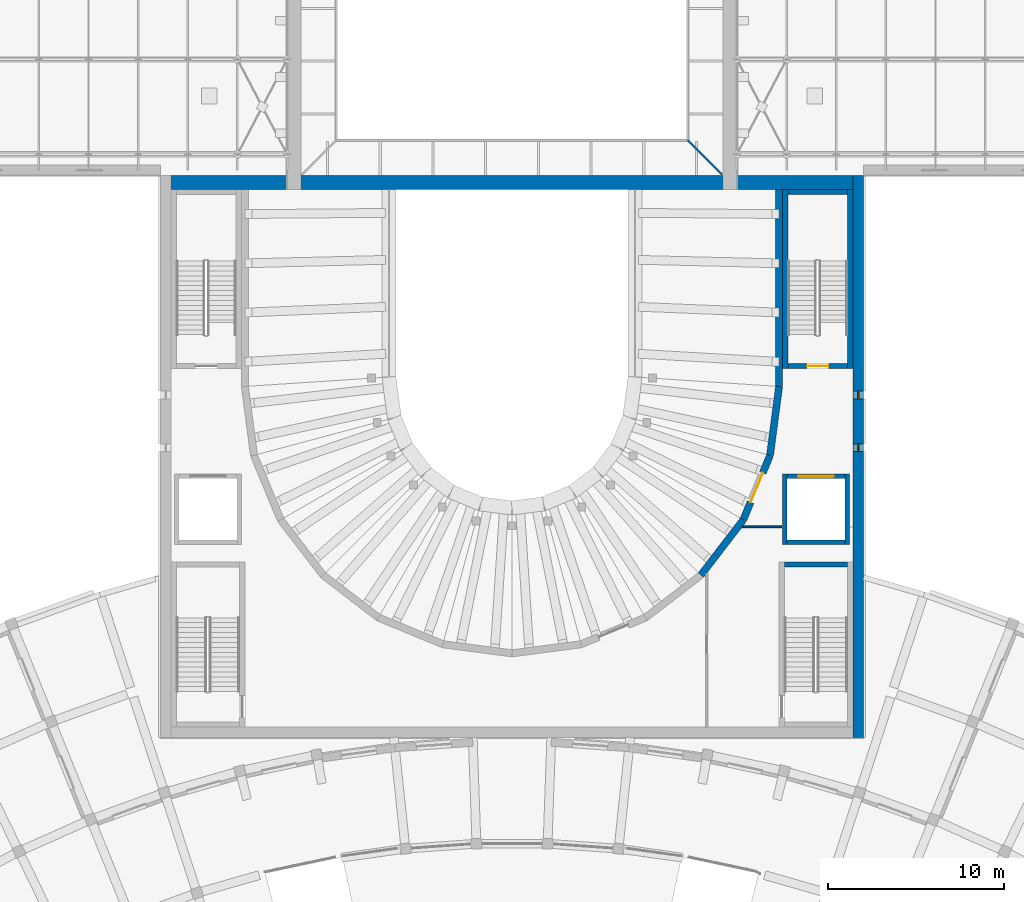
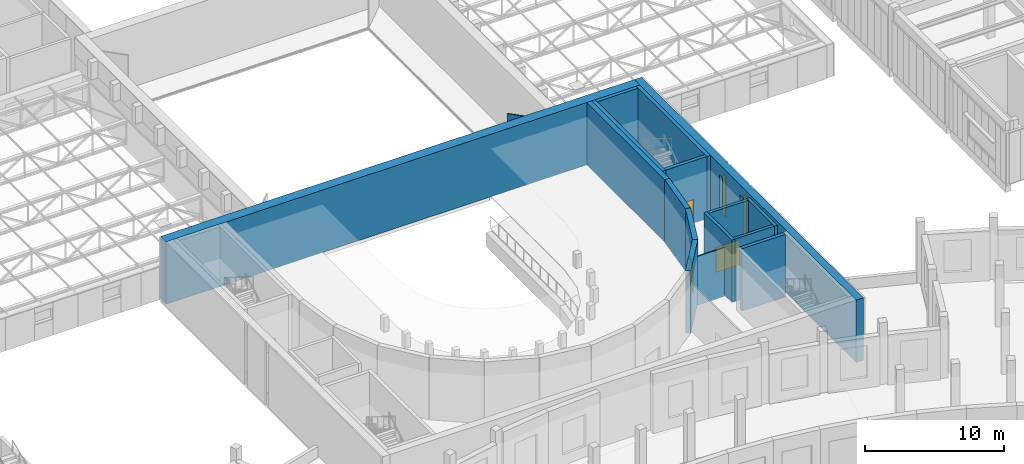
# One storey, part 76 of 132: 17 walls, 3 doors, 2 windows, 5 openings.
"""IFC4 building model written with IfcOpenShell, lengths in metres."""

from ifc_helpers import new_model, si_unit, direction, frame, frame_2d, origin, place, context, subcontext, project, spatial, rectangle, extrude, material, layer, layer_set, type_object, element, fill, save


model = new_model("IFC4")

# Units and contexts
model_context = context("Model", 3, precision=1e-05, world=origin(), true_north=direction((0.0, 1.0)))
body_context = subcontext(model_context, "Body", "Model", "MODEL_VIEW")
ifc_project = project(units=[si_unit("LENGTHUNIT", "METRE"), si_unit("AREAUNIT", "SQUARE_METRE"), si_unit("VOLUMEUNIT", "CUBIC_METRE"), si_unit("PLANEANGLEUNIT", "RADIAN"), si_unit("MASSUNIT", "GRAM", prefix="KILO")], contexts=[model_context])

# Site, building, storey
site_placement = place(None, origin())
site = spatial("IfcSite", under=ifc_project, at=site_placement, CompositionType="ELEMENT")
building_placement = place(site_placement, origin())
building = spatial("IfcBuilding", under=site, at=building_placement, Name="Lunette Opera House", CompositionType="ELEMENT")
storey_placement = place(building_placement, frame((0.0, 0.0, 17.0)))
storey = spatial("IfcBuildingStorey", under=building, at=storey_placement, Name="L03", CompositionType="ELEMENT", Elevation=17.0)

# Walls
ifc_material_1 = material(Name="Concrete C40/50", Category="concrete")
ifc_layer_1 = layer(ifc_material_1, 0.800048828125)
ifc_layer_set_1 = layer_set([ifc_layer_1], Name="Concrete C40/50")
wall_type_1 = type_object("IfcWallType", Name="FIRE WALL 800", PredefinedType="SHEAR", material=ifc_layer_set_1)
wall_1_placement = place(storey_placement, frame((76.0, 95.60009765625, 0.0), z_axis=(0.0, 0.0, 1.0), x_axis=(1.0, 0.0, 0.0)))
element("IfcWall", 1, at=wall_1_placement, inside=storey, type_object=wall_type_1, Name="wall-ST-L03-WP-1", PredefinedType="SHEAR", context=body_context, shape_type="SweptSolid", body=[
    extrude(rectangle(XDim=40.0, YDim=0.800048828125, at=frame_2d((20.0, 0.0))), origin(), (0.0, 0.0, 1.0), 5.5),
])
ifc_material_2 = material(Name="Concrete C35/45", Category="concrete")
ifc_layer_2 = layer(ifc_material_2, 0.25)
ifc_layer_set_2 = layer_set([ifc_layer_2], Name="Concrete C35/45")
wall_type_2 = type_object("IfcWallType", Name="RC LIFT SHAFT WALL 250", PredefinedType="SOLIDWALL", material=ifc_layer_set_2)
wall_2_placement = place(storey_placement, frame((115.074951171875, 75.0, 0.0), z_axis=(0.0, 0.0, 1.0), x_axis=(0.0, 1.0, 0.0)))
element("IfcWall", 2, at=wall_2_placement, inside=storey, type_object=wall_type_2, Name="LF3 shaft wall 1", PredefinedType="SOLIDWALL", context=body_context, shape_type="SweptSolid", body=[
    extrude(rectangle(XDim=4.0, YDim=0.25, at=frame_2d((2.0, 0.0))), origin(), (0.0, 0.0, 1.0), 5.5),
])

# Wall, opening, door
wall_3_placement = place(storey_placement, frame((114.949951171875, 78.875, 0.0), z_axis=(0.0, 0.0, 1.0), x_axis=(-1.0, 0.0, 0.0)))
wall_3 = element("IfcWall", 3, at=wall_3_placement, inside=storey, type_object=wall_type_2, Name="LF3 shaft wall 2", PredefinedType="SOLIDWALL", context=body_context, shape_type="SweptSolid", body=[
    extrude(rectangle(XDim=3.300048828125, YDim=0.25, at=frame_2d((1.64990234375, 0.0))), origin(), (0.0, 0.0, 1.0), 5.5),
])
opening_1_placement = place(wall_3_placement, frame((0.64990234375, 0.0, 0.0)))
opening_1 = element("IfcOpeningElement", 4, at=opening_1_placement, cuts=wall_3, Name="Opening AU-LD004", PredefinedType="OPENING", context=body_context, shape_type="SweptSolid", body=[
    extrude(rectangle(XDim=2.0, YDim=2.199951171875, at=frame_2d((1.0, 1.10009765625))), frame((0.0, 0.136962890625, 0.0), z_axis=(0.0, -1.0, 0.0), x_axis=(1.0, 0.0, 0.0)), (0.0, 0.0, 1.0), 0.27392578125),
])
ifc_material_3 = material(Name="Stainless steel", Category="steel")
door_type_1 = type_object("IfcDoorType", Name="LIFT LANDING DOOR 2000 X 2200", OperationType="DOUBLE_DOOR_SLIDING", PredefinedType="DOOR", material=ifc_material_3)
door_1_placement = place(opening_1_placement, origin())
door_1 = element("IfcDoor", 5, at=door_1_placement, inside=storey, type_object=door_type_1, Name="LF3 lift landing door", OperationType="DOUBLE_DOOR_SLIDING", OverallHeight=2.199951171875, OverallWidth=2.0, PredefinedType="DOOR", context=body_context, shape_type="SweptSolid", body=[
    extrude(rectangle(XDim=2.0, YDim=2.199951171875, at=frame_2d((1.0, 1.10009765625))), frame((0.0, 0.02490234375, 0.0), z_axis=(0.0, -1.0, 0.0), x_axis=(1.0, 0.0, 0.0)), (0.0, 0.0, 1.0), 0.050048828125),
])
fill(opening_1, door_1)

# Walls
wall_4_placement = place(storey_placement, frame((111.52490234375, 79.0, 0.0), z_axis=(0.0, 0.0, 1.0), x_axis=(0.0, -1.0, 0.0)))
element("IfcWall", 6, at=wall_4_placement, inside=storey, type_object=wall_type_2, Name="LF3 shaft wall 3", PredefinedType="SOLIDWALL", context=body_context, shape_type="SweptSolid", body=[
    extrude(rectangle(XDim=4.0, YDim=0.25, at=frame_2d((2.0, 0.0))), origin(), (0.0, 0.0, 1.0), 5.5),
])
wall_5_placement = place(storey_placement, frame((111.64990234375, 75.125, 0.0), z_axis=(0.0, 0.0, 1.0), x_axis=(1.0, 0.0, 0.0)))
element("IfcWall", 7, at=wall_5_placement, inside=storey, type_object=wall_type_2, Name="LF3 shaft wall 4", PredefinedType="SOLIDWALL", context=body_context, shape_type="SweptSolid", body=[
    extrude(rectangle(XDim=3.300048828125, YDim=0.25, at=frame_2d((1.64990234375, 0.0))), origin(), (0.0, 0.0, 1.0), 5.5),
])
ifc_material_4 = material(Name="Concrete C35/45", Category="concrete")
ifc_layer_3 = layer(ifc_material_4, 0.300048828125)
ifc_layer_set_3 = layer_set([ifc_layer_3], Name="Concrete C35/45")
wall_type_3 = type_object("IfcWallType", Name="RC STAIR ENCLOSURE WALL 300", PredefinedType="SOLIDWALL", material=ifc_layer_set_3)
wall_6_placement = place(storey_placement, frame((115.10009765625, 73.85009765625, 0.0), z_axis=(0.0, 0.0, 1.0), x_axis=(-1.0, 0.0, 0.0)))
element("IfcWall", 8, at=wall_6_placement, inside=storey, type_object=wall_type_3, Name="ST8 enclosure wall 2", PredefinedType="SOLIDWALL", context=body_context, shape_type="SweptSolid", body=[
    extrude(rectangle(XDim=3.60009765625, YDim=0.300048828125, at=frame_2d((1.800048828125, 0.0))), origin(), (0.0, 0.0, 1.0), 5.5),
])
wall_7_placement = place(storey_placement, frame((115.25, 85.0, 0.0), z_axis=(0.0, 0.0, 1.0), x_axis=(0.0, 1.0, 0.0)))
element("IfcWall", 9, at=wall_7_placement, inside=storey, type_object=wall_type_3, Name="ST9 enclosure wall 1", PredefinedType="SOLIDWALL", context=body_context, shape_type="SweptSolid", body=[
    extrude(rectangle(XDim=10.199951171875, YDim=0.300048828125, at=frame_2d((5.10009765625, 0.0))), origin(), (0.0, 0.0, 1.0), 5.5),
])
wall_8_placement = place(storey_placement, frame((115.10009765625, 95.050048828125, 0.0), z_axis=(0.0, 0.0, 1.0), x_axis=(-1.0, 0.0, 0.0)))
element("IfcWall", 10, at=wall_8_placement, inside=storey, type_object=wall_type_3, Name="ST9 enclosure wall 2", PredefinedType="SOLIDWALL", context=body_context, shape_type="SweptSolid", body=[
    extrude(rectangle(XDim=3.400146484375, YDim=0.300048828125, at=frame_2d((1.7001953125, 0.0))), origin(), (0.0, 0.0, 1.0), 5.5),
])
wall_9_placement = place(storey_placement, frame((111.550048828125, 95.199951171875, 0.0), z_axis=(0.0, 0.0, 1.0), x_axis=(0.0, -1.0, 0.0)))
element("IfcWall", 11, at=wall_9_placement, inside=storey, type_object=wall_type_3, Name="ST9 enclosure wall 3", PredefinedType="SOLIDWALL", context=body_context, shape_type="SweptSolid", body=[
    extrude(rectangle(XDim=10.199951171875, YDim=0.300048828125, at=frame_2d((5.10009765625, 0.0))), origin(), (0.0, 0.0, 1.0), 5.5),
])

# Wall, opening, door
wall_10_placement = place(storey_placement, frame((111.699951171875, 85.14990234375, 0.0), z_axis=(0.0, 0.0, 1.0), x_axis=(1.0, 0.0, 0.0)))
wall_10 = element("IfcWall", 12, at=wall_10_placement, inside=storey, type_object=wall_type_3, Name="ST9 enclosure wall 4", PredefinedType="SOLIDWALL", context=body_context, shape_type="SweptSolid", body=[
    extrude(rectangle(XDim=3.400146484375, YDim=0.300048828125, at=frame_2d((1.7001953125, 0.0))), origin(), (0.0, 0.0, 1.0), 5.5),
])
opening_2_placement = place(wall_10_placement, frame((1.10009765625, 0.0, 0.0)))
opening_2 = element("IfcOpeningElement", 13, at=opening_2_placement, cuts=wall_10, Name="Opening AU-D7023", PredefinedType="OPENING", context=body_context, shape_type="SweptSolid", body=[
    extrude(rectangle(XDim=1.199951171875, YDim=2.10009765625, at=frame_2d((0.60009765625, 1.050048828125))), frame((0.0, 0.162109375, 0.0), z_axis=(0.0, -1.0, 0.0), x_axis=(1.0, 0.0, 0.0)), (0.0, 0.0, 1.0), 0.323974609375),
])
ifc_material_5 = material(Name="Steel", Category="steel")
door_type_2 = type_object("IfcDoorType", Name="FIRE DOOR 1200 X 2100", OperationType="SINGLE_SWING_LEFT", PredefinedType="DOOR", material=ifc_material_5)
door_2_placement = place(opening_2_placement, origin())
door_2 = element("IfcDoor", 14, at=door_2_placement, inside=storey, type_object=door_type_2, Name="ST9 stair door", OperationType="SINGLE_SWING_LEFT", OverallHeight=2.10009765625, OverallWidth=1.199951171875, PredefinedType="DOOR", context=body_context, shape_type="SweptSolid", body=[
    extrude(rectangle(XDim=1.199951171875, YDim=2.10009765625, at=frame_2d((0.60009765625, 1.050048828125))), frame((0.0, 0.02490234375, 0.0), z_axis=(0.0, -1.0, 0.0), x_axis=(1.0, 0.0, 0.0)), (0.0, 0.0, 1.0), 0.050048828125),
])
fill(opening_2, door_2)

# Wall
ifc_material_6 = material(Name="Concrete C35/45", Category="concrete")
ifc_layer_4 = layer(ifc_material_6, 0.39990234375)
ifc_layer_set_4 = layer_set([ifc_layer_4], Name="Concrete C35/45")
wall_type_4 = type_object("IfcWallType", Name="RC WALL 400", PredefinedType="SHEAR", material=ifc_layer_set_4)
wall_11_placement = place(storey_placement, frame((106.75, 73.25, 0.0), z_axis=(0.0, 0.0, 1.0), x_axis=(0.608568439888, 0.793501388766, 0.0)))
element("IfcWall", 15, at=wall_11_placement, inside=storey, type_object=wall_type_4, Name="wall-AU-L03-HW11", PredefinedType="SHEAR", context=body_context, shape_type="SweptSolid", body=[
    extrude(rectangle(XDim=3.968505859375, YDim=0.39990234375, at=frame_2d((1.984375, 0.0))), origin(), (0.0, 0.0, 1.0), 5.5),
])

# Wall, opening, door
wall_12_placement = place(storey_placement, frame((109.1650390625, 76.39892578125, 0.0), z_axis=(0.0, 0.0, 1.0), x_axis=(0.38271032831, 0.923868391388, 0.0)))
wall_12 = element("IfcWall", 16, at=wall_12_placement, inside=storey, type_object=wall_type_4, Name="wall-AU-L03-HW12", PredefinedType="SHEAR", context=body_context, shape_type="SweptSolid", body=[
    extrude(rectangle(XDim=3.96923828125, YDim=0.39990234375, at=frame_2d((1.984619140625, 0.0))), origin(), (0.0, 0.0, 1.0), 5.5),
])
opening_3_placement = place(wall_12_placement, frame((1.083984375, 0.0, 0.0)))
opening_3 = element("IfcOpeningElement", 17, at=opening_3_placement, cuts=wall_12, Name="Opening AU-D3013", PredefinedType="OPENING", context=body_context, shape_type="SweptSolid", body=[
    extrude(rectangle(XDim=1.800048828125, YDim=2.10009765625, at=frame_2d((0.89990234375, 1.050048828125))), frame((0.0, 0.2119140625, 0.0), z_axis=(0.0, -1.0, 0.0), x_axis=(1.0, 0.0, 0.0)), (0.0, 0.0, 1.0), 0.423828125),
])
ifc_material_7 = material(Name="Timber", Category="wood")
door_type_3 = type_object("IfcDoorType", Name="SOUND LOCK DOOR 1800 X 2100", OperationType="DOUBLE_DOOR_SINGLE_SWING", PredefinedType="DOOR", material=ifc_material_7)
door_3_placement = place(opening_3_placement, origin())
door_3 = element("IfcDoor", 18, at=door_3_placement, inside=storey, type_object=door_type_3, Name="Auditorium Second Tier door", OperationType="DOUBLE_DOOR_SINGLE_SWING", OverallHeight=2.10009765625, OverallWidth=1.800048828125, PredefinedType="DOOR", context=body_context, shape_type="SweptSolid", body=[
    extrude(rectangle(XDim=1.800048828125, YDim=2.10009765625, at=frame_2d((0.89990234375, 1.050048828125))), frame((0.0, 0.02490234375, 0.0), z_axis=(0.0, -1.0, 0.0), x_axis=(1.0, 0.0, 0.0)), (0.0, 0.0, 1.0), 0.050048828125),
])
fill(opening_3, door_3)

# Walls
wall_13_placement = place(storey_placement, frame((110.68408203125, 80.06591796875, 0.0), z_axis=(0.0, 0.0, 1.0), x_axis=(0.130436947249, 0.991456606611, 0.0)))
element("IfcWall", 19, at=wall_13_placement, inside=storey, type_object=wall_type_4, Name="wall-AU-L03-HW13", PredefinedType="SHEAR", context=body_context, shape_type="SweptSolid", body=[
    extrude(rectangle(XDim=3.954833984375, YDim=0.39990234375, at=frame_2d((1.9775390625, 0.0))), origin(), (0.0, 0.0, 1.0), 5.5),
])
wall_14_placement = place(storey_placement, frame((111.199951171875, 83.987060546875, 0.0), z_axis=(0.0, 0.0, 1.0), x_axis=(0.0, 1.0, 0.0)))
element("IfcWall", 20, at=wall_14_placement, inside=storey, type_object=wall_type_4, Name="wall-AU-L03-HW14", PredefinedType="SHEAR", context=body_context, shape_type="SweptSolid", body=[
    extrude(rectangle(XDim=11.212890625, YDim=0.39990234375, at=frame_2d((5.6064453125, 0.0))), origin(), (0.0, 0.0, 1.0), 5.5),
])

# Wall, openings, windows
ifc_material_8 = material(Name="Concrete C35/45", Category="concrete")
ifc_layer_5 = layer(ifc_material_8, 0.60009765625)
ifc_layer_set_5 = layer_set([ifc_layer_5], Name="Concrete C35/45")
wall_type_5 = type_object("IfcWallType", Name="RC WALL 600", PredefinedType="SHEAR", material=ifc_layer_set_5)
wall_15_placement = place(storey_placement, frame((115.699951171875, 64.0, 0.0), z_axis=(0.0, 0.0, 1.0), x_axis=(0.0, 1.0, 0.0)))
wall_15 = element("IfcWall", 21, at=wall_15_placement, inside=storey, type_object=wall_type_5, Name="wall-AU-L03-WE", PredefinedType="SHEAR", context=body_context, shape_type="SweptSolid", body=[
    extrude(rectangle(XDim=32.0, YDim=0.60009765625, at=frame_2d((16.0, 0.0))), origin(), (0.0, 0.0, 1.0), 5.5),
])
opening_4_placement = place(wall_15_placement, frame((16.27490234375, 0.0, 1.0)))
opening_4 = element("IfcOpeningElement", 22, at=opening_4_placement, cuts=wall_15, Name="Opening AU-N2009", PredefinedType="OPENING", context=body_context, shape_type="SweptSolid", body=[
    extrude(rectangle(XDim=0.449951171875, YDim=3.60009765625, at=frame_2d((0.22509765625, 1.800048828125))), frame((0.0, 0.31201171875, 0.0), z_axis=(0.0, -1.0, 0.0), x_axis=(1.0, 0.0, 0.0)), (0.0, 0.0, 1.0), 0.6240234375),
])
opening_5_placement = place(wall_15_placement, frame((19.27490234375, 0.0, 1.0)))
opening_5 = element("IfcOpeningElement", 23, at=opening_5_placement, cuts=wall_15, Name="Opening AU-N2010", PredefinedType="OPENING", context=body_context, shape_type="SweptSolid", body=[
    extrude(rectangle(XDim=0.449951171875, YDim=3.60009765625, at=frame_2d((0.22509765625, 1.800048828125))), frame((0.0, 0.31201171875, 0.0), z_axis=(0.0, -1.0, 0.0), x_axis=(1.0, 0.0, 0.0)), (0.0, 0.0, 1.0), 0.6240234375),
])
ifc_material_9 = material(Name="Aluminium", Category="aluminium")
window_type = type_object("IfcWindowType", Name="SLIT WINDOW 450 X 3600", PartitioningType="SINGLE_PANEL", PredefinedType="WINDOW", material=ifc_material_9)
window_1_placement = place(opening_4_placement, origin())
window_1 = element("IfcWindow", 24, at=window_1_placement, inside=storey, type_object=window_type, Name="Slit Window 450 X 3600 WE-SL805 L03", OverallHeight=3.60009765625, OverallWidth=0.449951171875, PartitioningType="SINGLE_PANEL", PredefinedType="WINDOW", context=body_context, shape_type="SweptSolid", body=[
    extrude(rectangle(XDim=0.449951171875, YDim=3.60009765625, at=frame_2d((0.22509765625, 1.800048828125))), frame((0.0, 0.030029296875, 0.0), z_axis=(0.0, -1.0, 0.0), x_axis=(1.0, 0.0, 0.0)), (0.0, 0.0, 1.0), 0.06005859375),
])
fill(opening_4, window_1)
window_2_placement = place(opening_5_placement, origin())
window_2 = element("IfcWindow", 25, at=window_2_placement, inside=storey, type_object=window_type, Name="Slit Window 450 X 3600 WE-SL835 L03", OverallHeight=3.60009765625, OverallWidth=0.449951171875, PartitioningType="SINGLE_PANEL", PredefinedType="WINDOW", context=body_context, shape_type="SweptSolid", body=[
    extrude(rectangle(XDim=0.449951171875, YDim=3.60009765625, at=frame_2d((0.22509765625, 1.800048828125))), frame((0.0, 0.030029296875, 0.0), z_axis=(0.0, -1.0, 0.0), x_axis=(1.0, 0.0, 0.0)), (0.0, 0.0, 1.0), 0.06005859375),
])
fill(opening_5, window_2)

# Walls
ifc_material_10 = material(Name="Gypsum board on steel studs", Category="steel")
ifc_layer_6 = layer(ifc_material_10, 0.10009765625)
ifc_layer_set_6 = layer_set([ifc_layer_6], Name="Gypsum board on steel studs")
wall_type_6 = type_object("IfcWallType", Name="STUD PARTITION 100", PredefinedType="PARTITIONING", material=ifc_layer_set_6)
wall_16_placement = place(storey_placement, frame((107.949951171875, 96.050048828125, 0.0), z_axis=(0.0, 0.0, 1.0), x_axis=(-0.707106781187, 0.707106781187, 0.0)))
element("IfcWall", 26, at=wall_16_placement, inside=storey, type_object=wall_type_6, Name="Partition Fly Gallery 17 South", PredefinedType="PARTITIONING", context=body_context, shape_type="SweptSolid", body=[
    extrude(rectangle(XDim=2.757568359375, YDim=0.10009765625, at=frame_2d((1.37890625, 0.0))), origin(), (0.0, 0.0, 1.0), 4.60009765625),
])
wall_17_placement = place(storey_placement, frame((111.35009765625, 76.0, 0.0), z_axis=(0.0, 0.0, 1.0), x_axis=(-1.0, 0.0, 0.0)))
element("IfcWall", 27, at=wall_17_placement, inside=storey, type_object=wall_type_6, Name="Partition Followspot Gallery", PredefinedType="PARTITIONING", context=body_context, shape_type="SweptSolid", body=[
    extrude(rectangle(XDim=2.238037109375, YDim=0.10009765625, at=frame_2d((1.119140625, 0.0))), origin(), (0.0, 0.0, 1.0), 4.300048828125),
])

save(model, "model.ifc")
